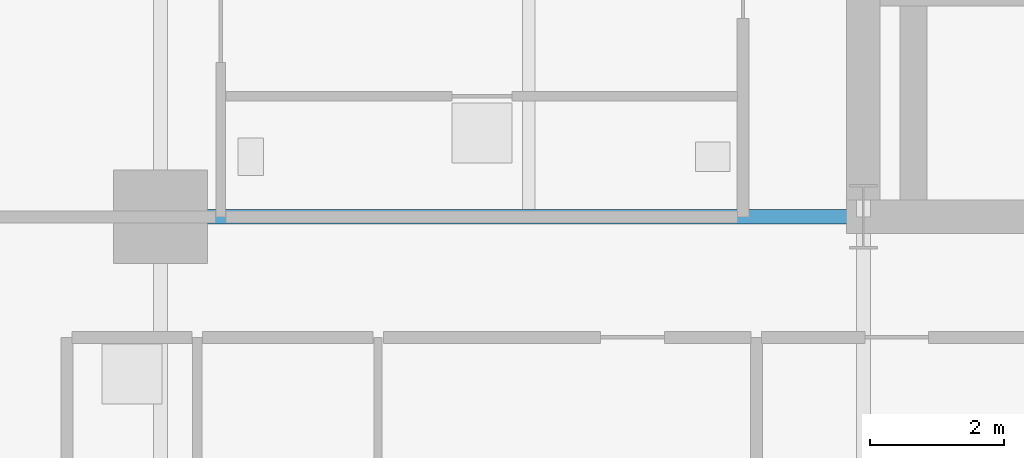
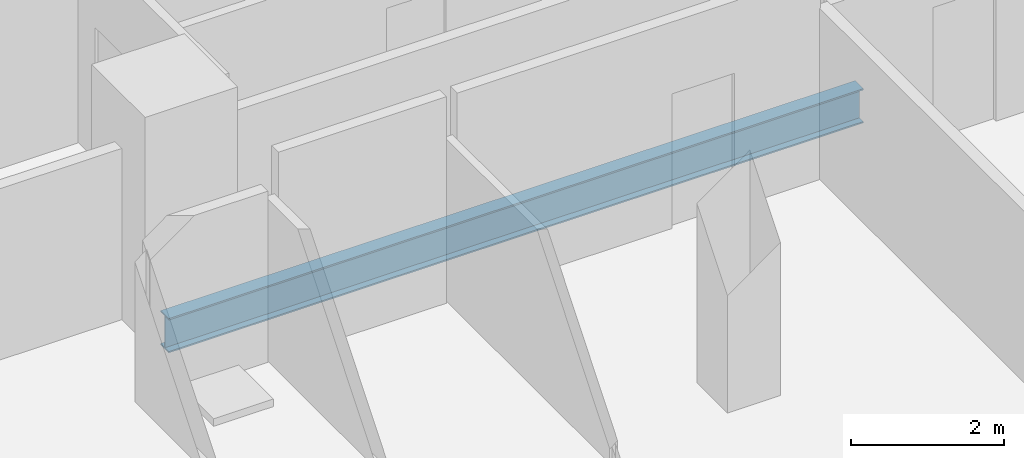
# One storey, part 5 of 24: 1 beam.
"""IFC4 building model written with IfcOpenShell, lengths in metres."""

import ifcopenshell
import ifcopenshell.guid

model = None  # the IFC model being written
_history = None  # IfcOwnerHistory: only IFC2X3 demands one
_inside = {}  # id of a spatial element -> (the spatial element, [elements in it])
_under = {}  # id of a project, library or spatial element -> (it, [spatial elements below it])
_declared = {}  # id of a project -> (the project, [libraries it declares])
_typed = {}  # id of a type object -> (the type object, [elements of that type])
_made_of = {}  # id of a material, layer set ... -> (it, [elements and type objects made of it])


def new_model(schema):
    """Start an empty IFC model of exactly this schema.

    Asked for "IFC4X3", IfcOpenShell would pick the latest addendum, in which some entities
    have other attributes; the version numbers below select the first issue.
    IFC2X3 requires an IfcOwnerHistory on every rooted entity: one is made here for all.
    """
    global model, _history
    if schema == "IFC4X3":
        model = ifcopenshell.file(schema_version=(4, 3, 0, 0))
    else:
        model = ifcopenshell.file(schema=schema)
    _inside.clear()
    _under.clear()
    _declared.clear()
    _typed.clear()
    _made_of.clear()
    _history = None
    if model.schema == "IFC2X3":
        org = make("IfcOrganization", Name="unknown")
        user = make(
            "IfcPersonAndOrganization",
            ThePerson=make("IfcPerson", FamilyName="unknown"),
            TheOrganization=org,
        )
        app = make(
            "IfcApplication",
            ApplicationDeveloper=org,
            Version="unknown",
            ApplicationFullName="unknown",
            ApplicationIdentifier="unknown",
        )
        _history = make(
            "IfcOwnerHistory",
            OwningUser=user,
            OwningApplication=app,
            ChangeAction="ADDED",
            CreationDate=0,
        )
    return model


def make(cls, **values):
    """One entity of the class cls with the attributes given. An attribute that is None is left unset."""
    return model.create_entity(
        cls, **{name: value for name, value in values.items() if value is not None}
    )


def rooted(cls, **values):
    """An entity with a GlobalId (a new one), such as an element, a storey or a relation."""
    return make(cls, GlobalId=ifcopenshell.guid.new(), OwnerHistory=_history, **values)


def si_unit(unit_type, name, prefix=None):
    """IfcSIUnit, for example si_unit("LENGTHUNIT", "METRE", prefix="MILLI")."""
    return make("IfcSIUnit", UnitType=unit_type, Prefix=prefix, Name=name)


def assignment(units):
    """IfcUnitAssignment: the units of a project."""
    return None if units is None else make("IfcUnitAssignment", Units=units)


def point(xyz):
    """IfcCartesianPoint."""
    return None if xyz is None else make("IfcCartesianPoint", Coordinates=xyz)


def direction(xyz):
    """IfcDirection."""
    return None if xyz is None else make("IfcDirection", DirectionRatios=xyz)


def frame(location, z_axis=None, x_axis=None):
    """IfcAxis2Placement3D, a coordinate frame: its origin and axes. An axis left out is left unset."""
    return make(
        "IfcAxis2Placement3D",
        Location=point(location),
        Axis=direction(z_axis),
        RefDirection=direction(x_axis),
    )


def frame_2d(location, x_axis=None):
    """IfcAxis2Placement2D, a coordinate frame in the plane: its origin and x axis."""
    return make(
        "IfcAxis2Placement2D", Location=point(location), RefDirection=direction(x_axis)
    )


def origin():
    """The frame at (0, 0, 0) with its axes left unset."""
    return frame((0.0, 0.0, 0.0))


def origin_2d():
    """The frame at (0, 0) in the plane with its x axis left unset."""
    return frame_2d((0.0, 0.0))


def place(relative_to, where):
    """IfcLocalPlacement: puts the frame where relative to a parent placement (None: the world)."""
    return make(
        "IfcLocalPlacement", PlacementRelTo=relative_to, RelativePlacement=where
    )


def context(
    kind, dimensions, precision=None, world=None, true_north=None, identifier=None
):
    """IfcGeometricRepresentationContext, for example the 3D "Model" context."""
    return make(
        "IfcGeometricRepresentationContext",
        ContextIdentifier=identifier,
        ContextType=kind,
        CoordinateSpaceDimension=dimensions,
        Precision=precision,
        WorldCoordinateSystem=world,
        TrueNorth=true_north,
    )


def subcontext(parent, identifier, kind, view, scale=None):
    """IfcGeometricRepresentationSubContext, for example "Body" below "Model"."""
    return make(
        "IfcGeometricRepresentationSubContext",
        ContextIdentifier=identifier,
        ContextType=kind,
        ParentContext=parent,
        TargetScale=scale,
        TargetView=view,
    )


def project(units=None, contexts=None):
    """IfcProject with its units and contexts."""
    return rooted(
        "IfcProject",
        Name="project",
        RepresentationContexts=contexts,
        UnitsInContext=assignment(units),
    )


def spatial(cls, under=None, at=None, **own):
    """A site, building, storey or space (cls), placed at a placement, below another one or the project."""
    s = rooted(cls, ObjectPlacement=at, **own)
    if under is not None:
        _under.setdefault(under.id(), (under, []))[1].append(s)
    return s


def profile(cls, at=None, kind="AREA", **sizes):
    """A parametric profile (cls). Its sizes go by their IFC names, for example OverallWidth=200.0."""
    return make(cls, ProfileType=kind, Position=at, **sizes)


def i_section(**sizes):
    """IfcIShapeProfileDef."""
    return profile("IfcIShapeProfileDef", **sizes)


def extrude(swept, where, along, depth):
    """IfcExtrudedAreaSolid: the profile swept, set in the frame where, extruded along a direction by depth."""
    return make(
        "IfcExtrudedAreaSolid",
        SweptArea=swept,
        Position=where,
        ExtrudedDirection=direction(along),
        Depth=depth,
    )


def shape(context_of_items, identifier, shape_type, items):
    """IfcShapeRepresentation: the items that make up one representation, for example the "Body"."""
    return make(
        "IfcShapeRepresentation",
        ContextOfItems=context_of_items,
        RepresentationIdentifier=identifier,
        RepresentationType=shape_type,
        Items=items,
    )


def material(Name=None, Category=None):
    """IfcMaterial."""
    return make("IfcMaterial", Name=Name, Category=Category)


def material_profile(
    of_material, cross_section, Name=None, Category=None, Priority=None
):
    """IfcMaterialProfile: a cross section and its material."""
    return make(
        "IfcMaterialProfile",
        Name=Name,
        Material=of_material,
        Profile=cross_section,
        Priority=Priority,
        Category=Category,
    )


def profile_set(profiles, Name=None, composite=None):
    """IfcMaterialProfileSet."""
    return make(
        "IfcMaterialProfileSet",
        Name=Name,
        MaterialProfiles=profiles,
        CompositeProfile=composite,
    )


def made_of(thing, what):
    """Note that an element or type object is made of a material, layer set ...; save() writes the relation."""
    if what is not None:
        _made_of.setdefault(what.id(), (what, []))[1].append(thing)
    return thing


def type_object(cls, material=None, **own):
    """A type object (cls), such as IfcWallType, which elements share."""
    return made_of(rooted(cls, **own), material)


def element(
    cls,
    number,
    at=None,
    inside=None,
    cuts=None,
    type_object=None,
    material=None,
    context=None,
    identifier="Body",
    shape_type=None,
    held_by="IfcProductDefinitionShape",
    body=None,
    shapes=None,
    **own,
):
    """One element of the class cls, such as IfcWall. Its Tag is "e" and its number.

    at: its placement. inside: the storey or other place that contains it. cuts: it is an
    opening in that element (IfcRelVoidsElement). A single representation is given by context,
    identifier, shape_type and body (its items); several are given by shapes. held_by: the class
    of the entity that holds the representations. save() writes the other relations.
    """
    e = rooted(cls, Tag="e%d" % number, ObjectPlacement=at, **own)
    if body is not None:
        shapes = [shape(context, identifier, shape_type, body)]
    if shapes is not None:
        e.Representation = make(held_by, Representations=shapes)
    if inside is not None:
        _inside.setdefault(inside.id(), (inside, []))[1].append(e)
    if cuts is not None:
        rooted(
            "IfcRelVoidsElement", RelatingBuildingElement=cuts, RelatedOpeningElement=e
        )
    if type_object is not None:
        _typed.setdefault(type_object.id(), (type_object, []))[1].append(e)
    return made_of(e, material)


def aggregate(whole, parts):
    """IfcRelAggregates: a whole, such as a stair, and the parts it consists of."""
    return rooted("IfcRelAggregates", RelatingObject=whole, RelatedObjects=parts)


def save(model, path):
    """Write the relations noted so far, then the file.

    IfcRelAggregates (storeys below a building ...), IfcRelContainedInSpatialStructure (elements
    in a storey), IfcRelDefinesByType, IfcRelAssociatesMaterial and IfcRelDeclares: one each for
    every whole, place, type object, material and project.
    """
    for whole, parts in _under.values():
        aggregate(whole, parts)
    for where, things in _inside.values():
        rooted(
            "IfcRelContainedInSpatialStructure",
            RelatedElements=things,
            RelatingStructure=where,
        )
    for kind, things in _typed.values():
        rooted("IfcRelDefinesByType", RelatedObjects=things, RelatingType=kind)
    for what, things in _made_of.values():
        rooted("IfcRelAssociatesMaterial", RelatedObjects=things, RelatingMaterial=what)
    for by, libraries in _declared.values():
        rooted("IfcRelDeclares", RelatingContext=by, RelatedDefinitions=libraries)
    model.write(path)


model = new_model("IFC4")

# Units and contexts
model_context = context("Model", 3, precision=1e-05, world=origin(), true_north=direction((0.0, 1.0)))
body_context = subcontext(model_context, "Body", "Model", "MODEL_VIEW")
ifc_project = project(units=[si_unit("LENGTHUNIT", "METRE"), si_unit("AREAUNIT", "SQUARE_METRE"), si_unit("VOLUMEUNIT", "CUBIC_METRE"), si_unit("PLANEANGLEUNIT", "RADIAN"), si_unit("MASSUNIT", "GRAM", prefix="KILO")], contexts=[model_context])

# Site, building, storey
site_placement = place(None, origin())
site = spatial("IfcSite", under=ifc_project, at=site_placement, CompositionType="ELEMENT")
building_placement = place(site_placement, origin())
building = spatial("IfcBuilding", under=site, at=building_placement, Name="Barlavira Tower and Art Museum", CompositionType="ELEMENT")
storey_placement = place(building_placement, frame((0.0, 0.0, 90.0)))
storey = spatial("IfcBuildingStorey", under=building, at=storey_placement, Name="L22", CompositionType="ELEMENT", Elevation=90.0)

# Beam
ifc_material = material(Name="Steel S355", Category="steel")
ifc_material_profile = material_profile(ifc_material, i_section(OverallWidth=0.214111328125, OverallDepth=0.549072265625, WebThickness=0.0146484375, FlangeThickness=0.023681640625, at=origin_2d()), Name="W530x138.0")
ifc_profile_set = profile_set([ifc_material_profile], Name="Steel S355")
beam_type = type_object("IfcBeamType", Name="Zone 1 Primary Floor Girder W530x138 Steel S355", PredefinedType="BEAM", material=ifc_profile_set)
beam_placement = place(storey_placement, frame((-17.0, -7.5, -0.494384765625), z_axis=(1.0, 0.0, 0.0), x_axis=(0.0, 1.0, 0.0)))
element("IfcBeam", 1, at=beam_placement, inside=storey, type_object=beam_type, Name="L22 Girder R-W1", PredefinedType="BEAM", context=body_context, shape_type="SweptSolid", body=[
    extrude(i_section(OverallWidth=0.214111328125, OverallDepth=0.549072265625, WebThickness=0.0146484375, FlangeThickness=0.023681640625, at=origin_2d()), origin(), (0.0, 0.0, 1.0), 10.5),
])

save(model, "model.ifc")
